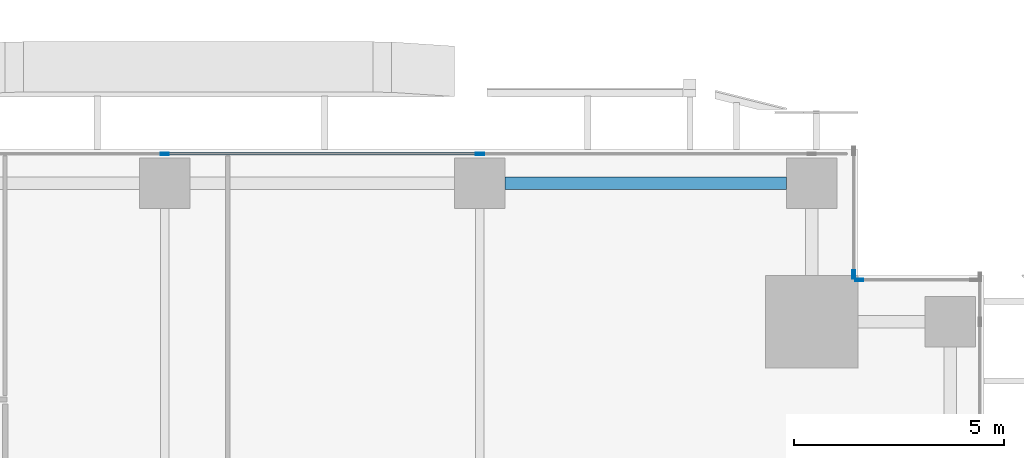
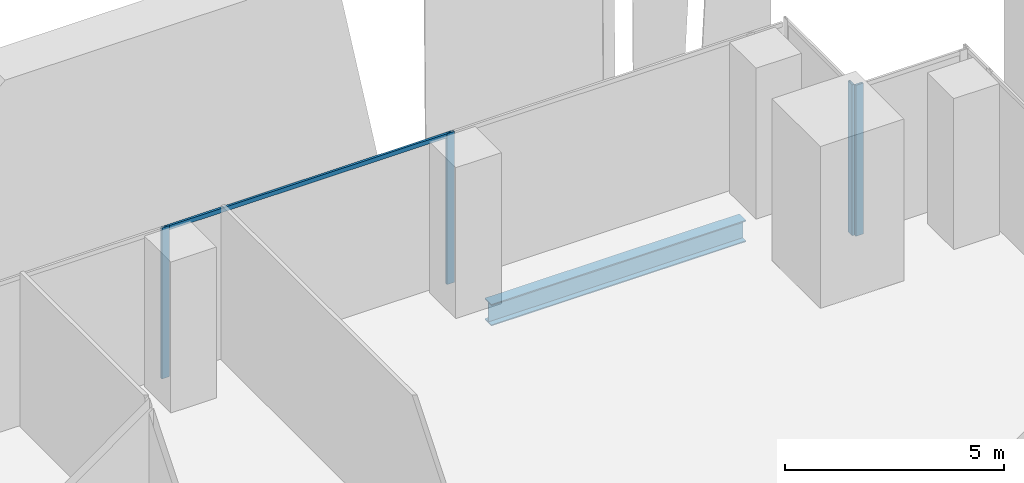
# One storey, part 21 of 37: 5 members, 1 beam, 3 elements without a shape of their own.
"""IFC4 building model written with IfcOpenShell, lengths in metres."""

from ifc_helpers import new_model, si_unit, direction, frame, origin, origin_2d, place, context, subcontext, project, spatial, hollow_rectangle, i_section, extrude, source, transform, mapped, material, material_profile, profile_set, type_object, element, aggregate, save


model = new_model("IFC4")

# Units and contexts
model_context = context("Model", 3, precision=1e-05, world=origin(), true_north=direction((0.0, 1.0)))
body_context = subcontext(model_context, "Body", "Model", "MODEL_VIEW")
ifc_project = project(units=[si_unit("LENGTHUNIT", "METRE"), si_unit("AREAUNIT", "SQUARE_METRE"), si_unit("VOLUMEUNIT", "CUBIC_METRE"), si_unit("PLANEANGLEUNIT", "RADIAN"), si_unit("MASSUNIT", "GRAM", prefix="KILO")], contexts=[model_context])

# Site, building, storey
site_placement = place(None, origin())
site = spatial("IfcSite", under=ifc_project, at=site_placement, CompositionType="ELEMENT")
building_placement = place(site_placement, origin())
building = spatial("IfcBuilding", under=site, at=building_placement, Name="Khomas Fold Tower", CompositionType="ELEMENT")
storey_placement = place(building_placement, frame((0.0, 0.0, 60.0)))
storey = spatial("IfcBuildingStorey", under=building, at=storey_placement, Name="L12", CompositionType="ELEMENT", Elevation=60.0)

# Beam
ifc_material_1 = material(Name="Steel S355", Category="steel")
ifc_material_profile_1 = material_profile(ifc_material_1, i_section(OverallWidth=0.300048828125, OverallDepth=0.60009765625, WebThickness=0.015380859375, FlangeThickness=0.030029296875, at=origin_2d()), Name="HE 600 B")
ifc_profile_set_1 = profile_set([ifc_material_profile_1], Name="Steel S355")
beam_type = type_object("IfcBeamType", Name="HE 600 B spandrel SB1", PredefinedType="SPANDREL", material=ifc_profile_set_1)
shared_shape_1 = source(origin(), body_context, "Body", "SweptSolid", [
    extrude(i_section(OverallWidth=0.300048828125, OverallDepth=0.60009765625, WebThickness=0.015380859375, FlangeThickness=0.030029296875, at=origin_2d()), origin(), (0.0, 0.0, 1.0), 6.699951171875),
])
beam_placement = place(storey_placement, frame((42.60009765625, 53.199951171875, -0.60009765625), z_axis=(1.0, 0.0, 0.0), x_axis=(0.0, 1.0, 0.0)))
element("IfcBeam", 1, at=beam_placement, inside=storey, type_object=beam_type, Name="SB1", PredefinedType="SPANDREL", context=body_context, shape_type="MappedRepresentation", body=[
    mapped(shared_shape_1, transform((0.0, 0.0, 0.0))),
])

# Curtain wall, member
ifc_material_2 = material(Name="Aluminium framed double glazing", Category="aluminium")
curtain_wall_type = type_object("IfcCurtainWallType", Name="SK-Unitised clear-glass wall, growing floors CW1", PredefinedType="NOTDEFINED", material=ifc_material_2)
curtain_wall_1_placement = place(storey_placement, origin())
curtain_wall_1 = element("IfcCurtainWall", 2, at=curtain_wall_1_placement, inside=storey, type_object=curtain_wall_type, Name="CW1 run L12 06-0", PredefinedType="NOTDEFINED")
ifc_material_3 = material(Name="Aluminium", Category="aluminium")
ifc_material_profile_2 = material_profile(ifc_material_3, hollow_rectangle(XDim=0.06005859375, YDim=0.1201171875, WallThickness=0.00390625, at=origin_2d()), Name="SK-Unitised clear-glass wall, growing floors transom CW1-T")
ifc_profile_set_2 = profile_set([ifc_material_profile_2], Name="Aluminium")
member_type_1 = type_object("IfcMemberType", Name="SK-Unitised clear-glass wall, growing floors transom CW1-T", PredefinedType="USERDEFINED", material=ifc_profile_set_2)
shared_shape_2 = source(origin(), body_context, "Body", "SweptSolid", [
    extrude(hollow_rectangle(XDim=0.06005859375, YDim=0.1201171875, WallThickness=0.00390625, at=origin_2d()), origin(), (0.0, 0.0, 1.0), 7.43994140625),
])
member_1_placement = place(storey_placement, frame((41.969970703125, 53.89990234375, 4.139892578125), z_axis=(-1.0, 0.0, 0.0), x_axis=(0.0, -1.0, 0.0)))
member_1 = element("IfcMember", 3, at=member_1_placement, type_object=member_type_1, Name="CW1 transom 3", ObjectType="TRANSOM", PredefinedType="USERDEFINED", context=body_context, shape_type="MappedRepresentation", body=[
    mapped(shared_shape_2, transform((0.0, 0.0, 0.0))),
])

curtain_wall_2_placement = place(storey_placement, origin())
curtain_wall_2 = element("IfcCurtainWall", 4, at=curtain_wall_2_placement, inside=storey, type_object=curtain_wall_type, Name="CW1 corner return L12 04", PredefinedType="NOTDEFINED")
ifc_material_4 = material(Name="Aluminium", Category="aluminium")
ifc_material_profile_3 = material_profile(ifc_material_4, hollow_rectangle(XDim=0.06005859375, YDim=0.199951171875, WallThickness=0.00390625, at=origin_2d()), Name="SK-Unitised clear-glass wall, growing floors mullion CW1-M")
ifc_profile_set_3 = profile_set([ifc_material_profile_3], Name="Aluminium")
member_type_2 = type_object("IfcMemberType", Name="SK-Unitised clear-glass wall, growing floors mullion CW1-M", PredefinedType="MULLION", material=ifc_profile_set_3)
shared_shape_3 = source(origin(), body_context, "Body", "SweptSolid", [
    extrude(hollow_rectangle(XDim=0.06005859375, YDim=0.199951171875, WallThickness=0.00390625, at=origin_2d()), origin(), (0.0, 0.0, 1.0), 4.199951171875),
])
member_2_placement = place(storey_placement, frame((51.030029296875, 50.89990234375, 0.0), z_axis=(0.0, 0.0, 1.0), x_axis=(0.0, -1.0, 0.0)))
member_2 = element("IfcMember", 5, at=member_2_placement, type_object=member_type_2, Name="CW1 mullion 2", PredefinedType="MULLION", context=body_context, shape_type="MappedRepresentation", body=[
    mapped(shared_shape_3, transform((0.0, 0.0, 0.0))),
])
aggregate(curtain_wall_2, [member_2])

curtain_wall_3_placement = place(storey_placement, origin())
curtain_wall_3 = element("IfcCurtainWall", 6, at=curtain_wall_3_placement, inside=storey, type_object=curtain_wall_type, Name="CW1 corner return L12 05", PredefinedType="NOTDEFINED")
member_3_placement = place(storey_placement, frame((50.89990234375, 51.030029296875, 0.0), z_axis=(0.0, 0.0, 1.0), x_axis=(-1.0, 0.0, 0.0)))
member_3 = element("IfcMember", 7, at=member_3_placement, type_object=member_type_2, Name="CW1 mullion 1", PredefinedType="MULLION", context=body_context, shape_type="MappedRepresentation", body=[
    mapped(shared_shape_3, transform((0.0, 0.0, 0.0))),
])
aggregate(curtain_wall_3, [member_3])

# Member
member_4_placement = place(storey_placement, frame((42.0, 53.89990234375, 0.0), z_axis=(0.0, 0.0, 1.0), x_axis=(0.0, -1.0, 0.0)))
member_4 = element("IfcMember", 8, at=member_4_placement, type_object=member_type_2, Name="CW1 mullion 3", PredefinedType="MULLION", context=body_context, shape_type="MappedRepresentation", body=[
    mapped(shared_shape_3, transform((0.0, 0.0, 0.0))),
])

member_5_placement = place(storey_placement, frame((34.5, 53.89990234375, 0.0), z_axis=(0.0, 0.0, 1.0), x_axis=(0.0, -1.0, 0.0)))
member_5 = element("IfcMember", 9, at=member_5_placement, type_object=member_type_2, Name="CW1 mullion 4", PredefinedType="MULLION", context=body_context, shape_type="MappedRepresentation", body=[
    mapped(shared_shape_3, transform((0.0, 0.0, 0.0))),
])

aggregate(curtain_wall_1, [member_4, member_5, member_1])

save(model, "model.ifc")
